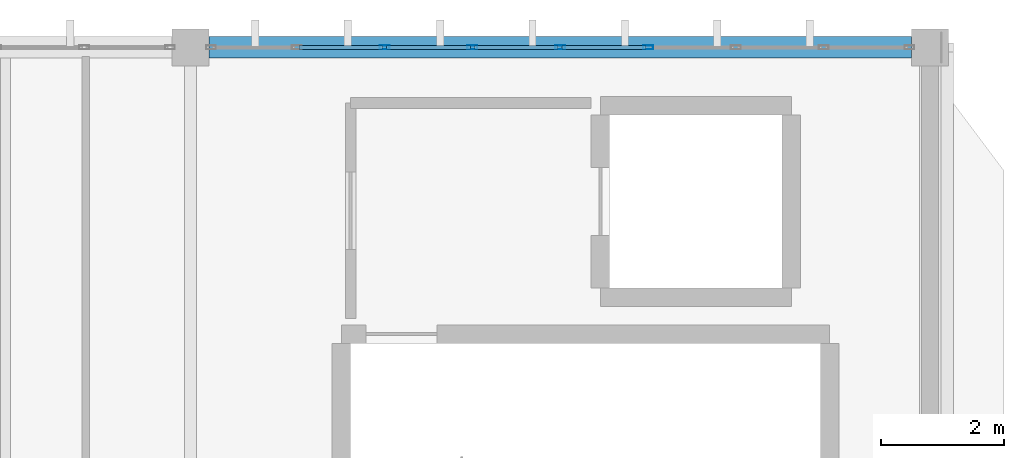
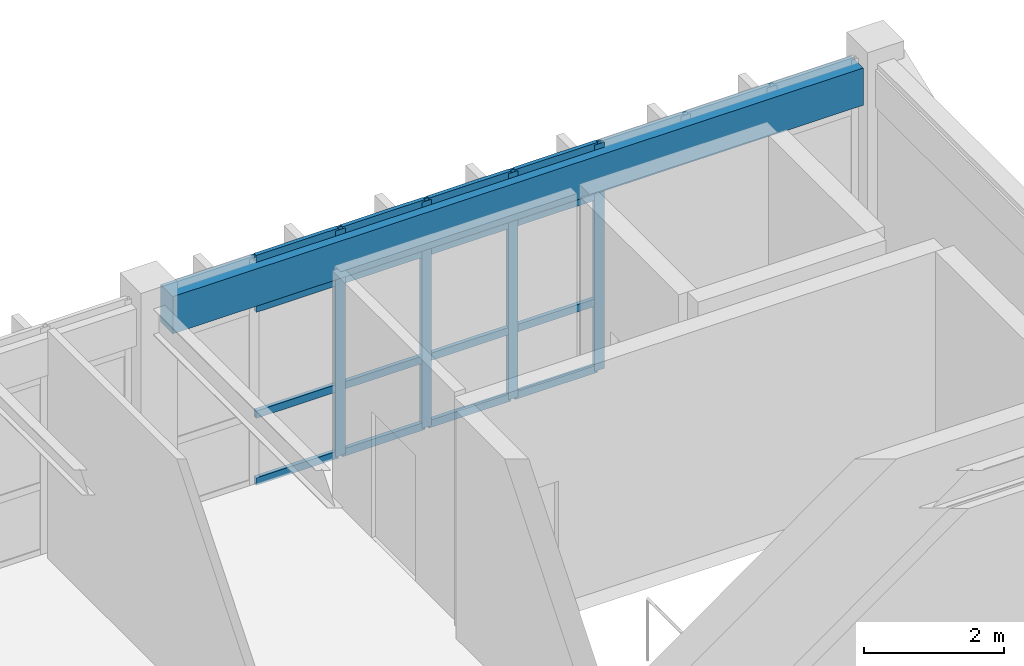
# One storey, part 17 of 28: 20 members, 1 beam, 1 element without a shape of its own.
"""IFC4 building model written with IfcOpenShell, lengths in metres."""

from ifc_helpers import new_model, si_unit, direction, frame, origin, origin_2d, place, context, subcontext, project, spatial, rectangle, hollow_rectangle, extrude, material, layer, layer_set, material_profile, profile_set, type_object, element, aggregate, save


model = new_model("IFC4")

# Units and contexts
model_context = context("Model", 3, precision=1e-05, world=origin(), true_north=direction((0.0, 1.0)))
body_context = subcontext(model_context, "Body", "Model", "MODEL_VIEW")
ifc_project = project(units=[si_unit("LENGTHUNIT", "METRE"), si_unit("AREAUNIT", "SQUARE_METRE"), si_unit("VOLUMEUNIT", "CUBIC_METRE"), si_unit("PLANEANGLEUNIT", "RADIAN"), si_unit("MASSUNIT", "GRAM", prefix="KILO")], contexts=[model_context])

# Site, building, storey
site_placement = place(None, origin())
site = spatial("IfcSite", under=ifc_project, at=site_placement, CompositionType="ELEMENT")
building_placement = place(site_placement, origin())
building = spatial("IfcBuilding", under=site, at=building_placement, Name="Pandanus Reach Market Hall", CompositionType="ELEMENT")
storey_placement = place(building_placement, frame((0.0, 0.0, 18.60009765625)))
storey = spatial("IfcBuildingStorey", under=building, at=storey_placement, Name="L04", CompositionType="ELEMENT", Elevation=18.60009765625)

# Beam
ifc_material_1 = material(Name="Concrete N40 (40 MPa)", Category="concrete")
ifc_material_profile_1 = material_profile(ifc_material_1, rectangle(XDim=0.35009765625, YDim=0.64990234375, at=origin_2d()), Name="RC350x650", Category="LoadBearing")
ifc_profile_set_1 = profile_set([ifc_material_profile_1], Name="Concrete N40 (40 MPa)")
beam_type = type_object("IfcBeamType", Name="BM-RC350-E", PredefinedType="SPANDREL", material=ifc_profile_set_1)
beam_placement = place(storey_placement, frame((168.298095703125, 76.800048828125, 3.534912109375), z_axis=(1.0, 0.0, 0.0), x_axis=(0.0, 1.0, 0.0)))
element("IfcBeam", 1, at=beam_placement, inside=storey, type_object=beam_type, Name="Framing beam BM-RC350-E L04.621", PredefinedType="SPANDREL", context=body_context, shape_type="SweptSolid", body=[
    extrude(rectangle(XDim=0.35009765625, YDim=0.64990234375, at=origin_2d()), origin(), (0.0, 0.0, 1.0), 11.40380859375),
])

# Curtain wall, members
ifc_material_2 = material(Name="Bronze anodised aluminium and low-E glass", Category="aluminium")
ifc_layer = layer(ifc_material_2, 0.159912109375, Name="CW-35")
ifc_layer_set = layer_set([ifc_layer], Name="Bronze anodised aluminium and low-E glass")
curtain_wall_type = type_object("IfcCurtainWallType", Name="CW-35", PredefinedType="NOTDEFINED", material=ifc_layer_set)
curtain_wall_placement = place(storey_placement, origin())
curtain_wall = element("IfcCurtainWall", 2, at=curtain_wall_placement, inside=storey, type_object=curtain_wall_type, Name="Glazed curtain wall CW-35 CW-0130", PredefinedType="NOTDEFINED")
ifc_material_3 = material(Name="Bronze anodised aluminium", Category="aluminium")
ifc_material_profile_2 = material_profile(ifc_material_3, hollow_rectangle(XDim=0.06494140625, YDim=0.159912109375, WallThickness=0.00390625, at=origin_2d()), Name="ALU65x160", Category="LoadBearing")
ifc_profile_set_2 = profile_set([ifc_material_profile_2], Name="Bronze anodised aluminium")
member_type_1 = type_object("IfcMemberType", Name="CW-M1", PredefinedType="MULLION", material=ifc_profile_set_2)
member_1_placement = place(storey_placement, frame((171.14990234375, 76.800048828125, 0.0), z_axis=(0.0, 0.0, 1.0), x_axis=(0.0, 1.0, 0.0)))
member_1 = element("IfcMember", 3, at=member_1_placement, type_object=member_type_1, Name="CW-35 mullion 3", PredefinedType="MULLION", context=body_context, shape_type="SweptSolid", body=[
    extrude(hollow_rectangle(XDim=0.06494140625, YDim=0.159912109375, WallThickness=0.00390625, at=origin_2d()), origin(), (0.0, 0.0, 1.0), 3.949951171875),
])
member_2_placement = place(storey_placement, frame((172.574951171875, 76.800048828125, 0.0), z_axis=(0.0, 0.0, 1.0), x_axis=(0.0, 1.0, 0.0)))
member_2 = element("IfcMember", 4, at=member_2_placement, type_object=member_type_1, Name="CW-35 mullion 4", PredefinedType="MULLION", context=body_context, shape_type="SweptSolid", body=[
    extrude(hollow_rectangle(XDim=0.06494140625, YDim=0.159912109375, WallThickness=0.00390625, at=origin_2d()), origin(), (0.0, 0.0, 1.0), 3.949951171875),
])
member_3_placement = place(storey_placement, frame((174.0, 76.800048828125, 0.0), z_axis=(0.0, 0.0, 1.0), x_axis=(0.0, 1.0, 0.0)))
member_3 = element("IfcMember", 5, at=member_3_placement, type_object=member_type_1, Name="CW-35 mullion 5", PredefinedType="MULLION", context=body_context, shape_type="SweptSolid", body=[
    extrude(hollow_rectangle(XDim=0.06494140625, YDim=0.159912109375, WallThickness=0.00390625, at=origin_2d()), origin(), (0.0, 0.0, 1.0), 3.949951171875),
])
member_4_placement = place(storey_placement, frame((175.425048828125, 76.800048828125, 0.0), z_axis=(0.0, 0.0, 1.0), x_axis=(0.0, 1.0, 0.0)))
member_4 = element("IfcMember", 6, at=member_4_placement, type_object=member_type_1, Name="CW-35 mullion 6", PredefinedType="MULLION", context=body_context, shape_type="SweptSolid", body=[
    extrude(hollow_rectangle(XDim=0.06494140625, YDim=0.159912109375, WallThickness=0.00390625, at=origin_2d()), origin(), (0.0, 0.0, 1.0), 3.949951171875),
])
ifc_material_profile_3 = material_profile(ifc_material_3, hollow_rectangle(XDim=0.06494140625, YDim=0.1298828125, WallThickness=0.00390625, at=origin_2d()), Name="ALU65x130", Category="LoadBearing")
ifc_profile_set_3 = profile_set([ifc_material_profile_3], Name="Bronze anodised aluminium")
member_type_2 = type_object("IfcMemberType", Name="CW-T1", PredefinedType="USERDEFINED", material=ifc_profile_set_3)
member_5_placement = place(storey_placement, frame((169.757568359375, 76.800048828125, 0.032470703125), z_axis=(1.0, 0.0, 0.0), x_axis=(0.0, 1.0, 0.0)))
member_5 = element("IfcMember", 7, at=member_5_placement, type_object=member_type_2, Name="CW-35 transom 2.1", ObjectType="TRANSOM", PredefinedType="USERDEFINED", context=body_context, shape_type="SweptSolid", body=[
    extrude(hollow_rectangle(XDim=0.06494140625, YDim=0.1298828125, WallThickness=0.00390625, at=origin_2d()), origin(), (0.0, 0.0, 1.0), 1.35986328125),
])
member_6_placement = place(storey_placement, frame((169.757568359375, 76.800048828125, 1.199951171875), z_axis=(1.0, 0.0, 0.0), x_axis=(0.0, 1.0, 0.0)))
member_6 = element("IfcMember", 8, at=member_6_placement, type_object=member_type_2, Name="CW-35 transom 2.2", ObjectType="TRANSOM", PredefinedType="USERDEFINED", context=body_context, shape_type="SweptSolid", body=[
    extrude(hollow_rectangle(XDim=0.06494140625, YDim=0.1298828125, WallThickness=0.00390625, at=origin_2d()), origin(), (0.0, 0.0, 1.0), 1.35986328125),
])
member_7_placement = place(storey_placement, frame((169.757568359375, 76.800048828125, 3.0498046875), z_axis=(1.0, 0.0, 0.0), x_axis=(0.0, 1.0, 0.0)))
member_7 = element("IfcMember", 9, at=member_7_placement, type_object=member_type_2, Name="CW-35 transom 2.3", ObjectType="TRANSOM", PredefinedType="USERDEFINED", context=body_context, shape_type="SweptSolid", body=[
    extrude(hollow_rectangle(XDim=0.06494140625, YDim=0.1298828125, WallThickness=0.00390625, at=origin_2d()), origin(), (0.0, 0.0, 1.0), 1.35986328125),
])
member_8_placement = place(storey_placement, frame((169.757568359375, 76.800048828125, 3.91748046875), z_axis=(1.0, 0.0, 0.0), x_axis=(0.0, 1.0, 0.0)))
member_8 = element("IfcMember", 10, at=member_8_placement, type_object=member_type_2, Name="CW-35 transom 2.4", ObjectType="TRANSOM", PredefinedType="USERDEFINED", context=body_context, shape_type="SweptSolid", body=[
    extrude(hollow_rectangle(XDim=0.06494140625, YDim=0.1298828125, WallThickness=0.00390625, at=origin_2d()), origin(), (0.0, 0.0, 1.0), 1.35986328125),
])
member_9_placement = place(storey_placement, frame((171.1826171875, 76.800048828125, 0.032470703125), z_axis=(1.0, 0.0, 0.0), x_axis=(0.0, 1.0, 0.0)))
member_9 = element("IfcMember", 11, at=member_9_placement, type_object=member_type_2, Name="CW-35 transom 3.1", ObjectType="TRANSOM", PredefinedType="USERDEFINED", context=body_context, shape_type="SweptSolid", body=[
    extrude(hollow_rectangle(XDim=0.06494140625, YDim=0.1298828125, WallThickness=0.00390625, at=origin_2d()), origin(), (0.0, 0.0, 1.0), 1.35986328125),
])
member_10_placement = place(storey_placement, frame((171.1826171875, 76.800048828125, 1.199951171875), z_axis=(1.0, 0.0, 0.0), x_axis=(0.0, 1.0, 0.0)))
member_10 = element("IfcMember", 12, at=member_10_placement, type_object=member_type_2, Name="CW-35 transom 3.2", ObjectType="TRANSOM", PredefinedType="USERDEFINED", context=body_context, shape_type="SweptSolid", body=[
    extrude(hollow_rectangle(XDim=0.06494140625, YDim=0.1298828125, WallThickness=0.00390625, at=origin_2d()), origin(), (0.0, 0.0, 1.0), 1.35986328125),
])
member_11_placement = place(storey_placement, frame((171.1826171875, 76.800048828125, 3.0498046875), z_axis=(1.0, 0.0, 0.0), x_axis=(0.0, 1.0, 0.0)))
member_11 = element("IfcMember", 13, at=member_11_placement, type_object=member_type_2, Name="CW-35 transom 3.3", ObjectType="TRANSOM", PredefinedType="USERDEFINED", context=body_context, shape_type="SweptSolid", body=[
    extrude(hollow_rectangle(XDim=0.06494140625, YDim=0.1298828125, WallThickness=0.00390625, at=origin_2d()), origin(), (0.0, 0.0, 1.0), 1.35986328125),
])
member_12_placement = place(storey_placement, frame((171.1826171875, 76.800048828125, 3.91748046875), z_axis=(1.0, 0.0, 0.0), x_axis=(0.0, 1.0, 0.0)))
member_12 = element("IfcMember", 14, at=member_12_placement, type_object=member_type_2, Name="CW-35 transom 3.4", ObjectType="TRANSOM", PredefinedType="USERDEFINED", context=body_context, shape_type="SweptSolid", body=[
    extrude(hollow_rectangle(XDim=0.06494140625, YDim=0.1298828125, WallThickness=0.00390625, at=origin_2d()), origin(), (0.0, 0.0, 1.0), 1.35986328125),
])
member_13_placement = place(storey_placement, frame((172.607421875, 76.800048828125, 0.032470703125), z_axis=(1.0, 0.0, 0.0), x_axis=(0.0, 1.0, 0.0)))
member_13 = element("IfcMember", 15, at=member_13_placement, type_object=member_type_2, Name="CW-35 transom 4.1", ObjectType="TRANSOM", PredefinedType="USERDEFINED", context=body_context, shape_type="SweptSolid", body=[
    extrude(hollow_rectangle(XDim=0.06494140625, YDim=0.1298828125, WallThickness=0.00390625, at=origin_2d()), origin(), (0.0, 0.0, 1.0), 1.360107421875),
])
member_14_placement = place(storey_placement, frame((172.607421875, 76.800048828125, 1.199951171875), z_axis=(1.0, 0.0, 0.0), x_axis=(0.0, 1.0, 0.0)))
member_14 = element("IfcMember", 16, at=member_14_placement, type_object=member_type_2, Name="CW-35 transom 4.2", ObjectType="TRANSOM", PredefinedType="USERDEFINED", context=body_context, shape_type="SweptSolid", body=[
    extrude(hollow_rectangle(XDim=0.06494140625, YDim=0.1298828125, WallThickness=0.00390625, at=origin_2d()), origin(), (0.0, 0.0, 1.0), 1.360107421875),
])
member_15_placement = place(storey_placement, frame((172.607421875, 76.800048828125, 3.0498046875), z_axis=(1.0, 0.0, 0.0), x_axis=(0.0, 1.0, 0.0)))
member_15 = element("IfcMember", 17, at=member_15_placement, type_object=member_type_2, Name="CW-35 transom 4.3", ObjectType="TRANSOM", PredefinedType="USERDEFINED", context=body_context, shape_type="SweptSolid", body=[
    extrude(hollow_rectangle(XDim=0.06494140625, YDim=0.1298828125, WallThickness=0.00390625, at=origin_2d()), origin(), (0.0, 0.0, 1.0), 1.360107421875),
])
member_16_placement = place(storey_placement, frame((172.607421875, 76.800048828125, 3.91748046875), z_axis=(1.0, 0.0, 0.0), x_axis=(0.0, 1.0, 0.0)))
member_16 = element("IfcMember", 18, at=member_16_placement, type_object=member_type_2, Name="CW-35 transom 4.4", ObjectType="TRANSOM", PredefinedType="USERDEFINED", context=body_context, shape_type="SweptSolid", body=[
    extrude(hollow_rectangle(XDim=0.06494140625, YDim=0.1298828125, WallThickness=0.00390625, at=origin_2d()), origin(), (0.0, 0.0, 1.0), 1.360107421875),
])
member_17_placement = place(storey_placement, frame((174.032470703125, 76.800048828125, 0.032470703125), z_axis=(1.0, 0.0, 0.0), x_axis=(0.0, 1.0, 0.0)))
member_17 = element("IfcMember", 19, at=member_17_placement, type_object=member_type_2, Name="CW-35 transom 5.1", ObjectType="TRANSOM", PredefinedType="USERDEFINED", context=body_context, shape_type="SweptSolid", body=[
    extrude(hollow_rectangle(XDim=0.06494140625, YDim=0.1298828125, WallThickness=0.00390625, at=origin_2d()), origin(), (0.0, 0.0, 1.0), 1.360107421875),
])
member_18_placement = place(storey_placement, frame((174.032470703125, 76.800048828125, 1.199951171875), z_axis=(1.0, 0.0, 0.0), x_axis=(0.0, 1.0, 0.0)))
member_18 = element("IfcMember", 20, at=member_18_placement, type_object=member_type_2, Name="CW-35 transom 5.2", ObjectType="TRANSOM", PredefinedType="USERDEFINED", context=body_context, shape_type="SweptSolid", body=[
    extrude(hollow_rectangle(XDim=0.06494140625, YDim=0.1298828125, WallThickness=0.00390625, at=origin_2d()), origin(), (0.0, 0.0, 1.0), 1.360107421875),
])
member_19_placement = place(storey_placement, frame((174.032470703125, 76.800048828125, 3.0498046875), z_axis=(1.0, 0.0, 0.0), x_axis=(0.0, 1.0, 0.0)))
member_19 = element("IfcMember", 21, at=member_19_placement, type_object=member_type_2, Name="CW-35 transom 5.3", ObjectType="TRANSOM", PredefinedType="USERDEFINED", context=body_context, shape_type="SweptSolid", body=[
    extrude(hollow_rectangle(XDim=0.06494140625, YDim=0.1298828125, WallThickness=0.00390625, at=origin_2d()), origin(), (0.0, 0.0, 1.0), 1.360107421875),
])
member_20_placement = place(storey_placement, frame((174.032470703125, 76.800048828125, 3.91748046875), z_axis=(1.0, 0.0, 0.0), x_axis=(0.0, 1.0, 0.0)))
member_20 = element("IfcMember", 22, at=member_20_placement, type_object=member_type_2, Name="CW-35 transom 5.4", ObjectType="TRANSOM", PredefinedType="USERDEFINED", context=body_context, shape_type="SweptSolid", body=[
    extrude(hollow_rectangle(XDim=0.06494140625, YDim=0.1298828125, WallThickness=0.00390625, at=origin_2d()), origin(), (0.0, 0.0, 1.0), 1.360107421875),
])
aggregate(curtain_wall, [member_1, member_2, member_3, member_4, member_5, member_6, member_7, member_8, member_9, member_10, member_11, member_12, member_13, member_14, member_15, member_16, member_17, member_18, member_19, member_20])

save(model, "model.ifc")
